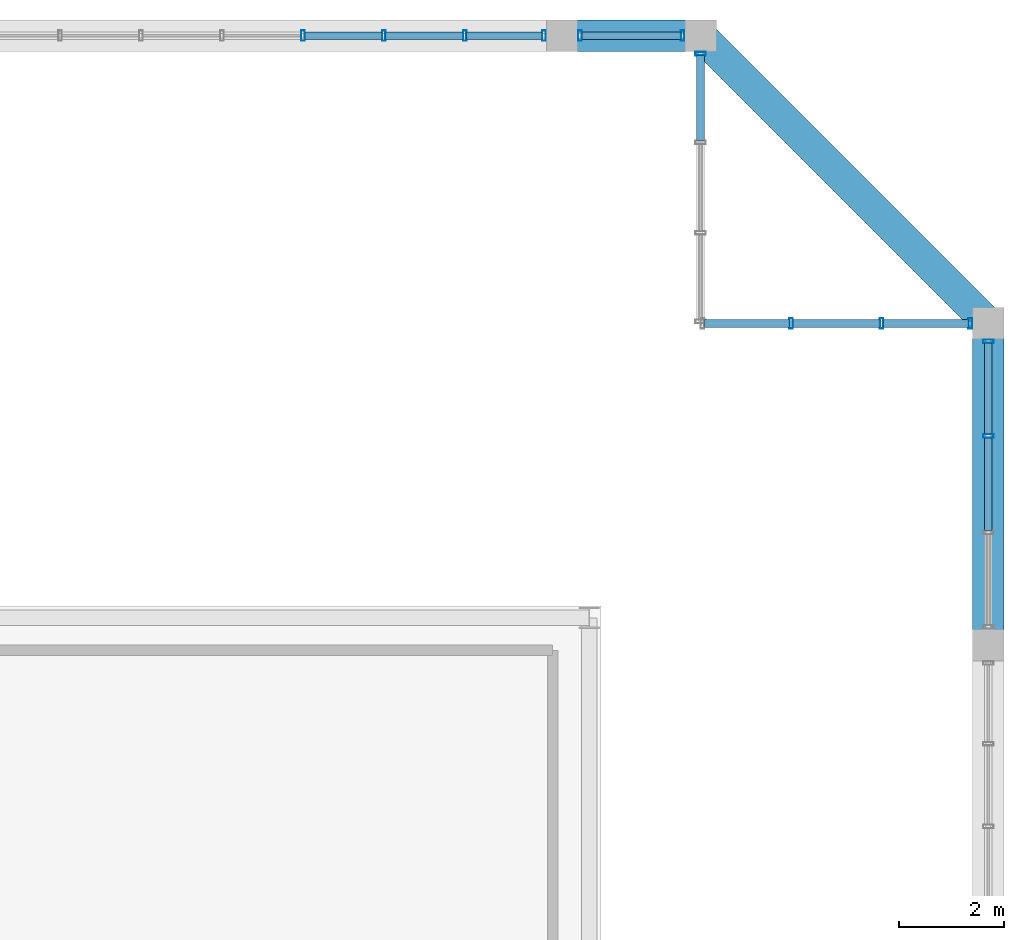
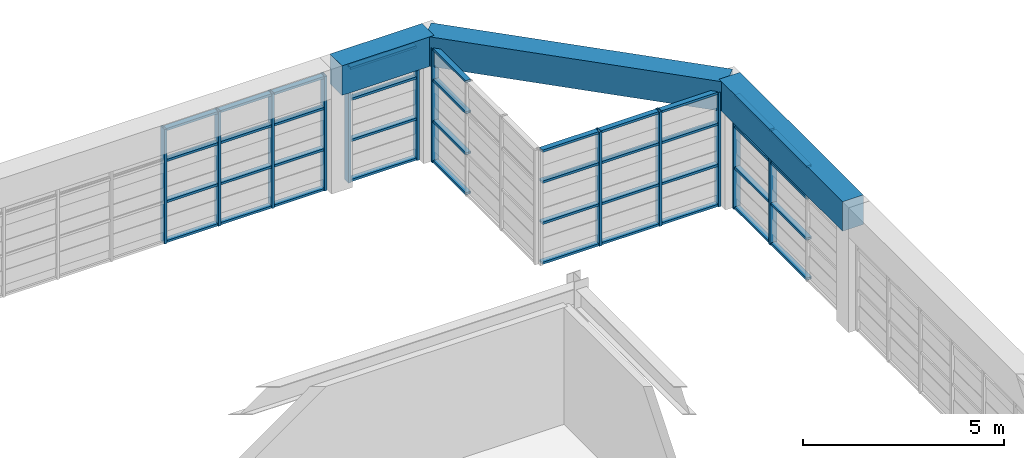
# One storey, part 19 of 27: 52 members, 3 beams, 5 elements without a shape of their own.
"""IFC4 building model written with IfcOpenShell, lengths in metres."""

from ifc_helpers import new_model, si_unit, direction, frame, origin, origin_2d, place, context, subcontext, project, spatial, rectangle, hollow_rectangle, extrude, source, transform, mapped, material, layer, layer_set, material_profile, profile_set, type_object, element, aggregate, save


model = new_model("IFC4")

# Units and contexts
model_context = context("Model", 3, precision=1e-05, world=origin(), true_north=direction((0.0, 1.0)))
body_context = subcontext(model_context, "Body", "Model", "MODEL_VIEW")
ifc_project = project(units=[si_unit("LENGTHUNIT", "METRE"), si_unit("AREAUNIT", "SQUARE_METRE"), si_unit("VOLUMEUNIT", "CUBIC_METRE"), si_unit("PLANEANGLEUNIT", "RADIAN"), si_unit("MASSUNIT", "GRAM", prefix="KILO")], contexts=[model_context])

# Site, building, storey
site_placement = place(None, origin())
site = spatial("IfcSite", under=ifc_project, at=site_placement, CompositionType="ELEMENT")
building_placement = place(site_placement, origin())
building = spatial("IfcBuilding", under=site, at=building_placement, Name="Saelheon Loggia Tower", CompositionType="ELEMENT")
storey_placement = place(building_placement, frame((0.0, 0.0, 263.60009765625)))
storey = spatial("IfcBuildingStorey", under=building, at=storey_placement, Name="CR4", CompositionType="ELEMENT", Elevation=263.60009765625)

# Beams
ifc_material_1 = material(Name="Precast Concrete C45/55", Category="concrete")
ifc_material_profile_1 = material_profile(ifc_material_1, rectangle(XDim=0.60009765625, YDim=0.89990234375, at=origin_2d()), Name="RC-600x900")
ifc_profile_set_1 = profile_set([ifc_material_profile_1], Name="Precast Concrete C45/55")
beam_type = type_object("IfcBeamType", Name="CrownFrame_Ring_RC600x900", PredefinedType="BEAM", material=ifc_profile_set_1)
shared_shape_1 = source(origin(), body_context, "Body", "SweptSolid", [
    extrude(rectangle(XDim=0.60009765625, YDim=0.89990234375, at=origin_2d()), origin(), (0.0, 0.0, 1.0), 2.64990234375),
])
beam_1_placement = place(storey_placement, frame((47.14990234375, 47.64990234375, 3.349853515625), z_axis=(-1.0, 0.0, 0.0), x_axis=(0.0, -1.0, 0.0)))
element("IfcBeam", 1, at=beam_1_placement, inside=storey, type_object=beam_type, Name="CR4 CROWN FRAME Ring Beam 09", PredefinedType="BEAM", context=body_context, shape_type="MappedRepresentation", body=[
    mapped(shared_shape_1, transform((0.0, 0.0, 0.0), scale=1.0)),
])
shared_shape_2 = source(origin(), body_context, "Body", "SweptSolid", [
    extrude(rectangle(XDim=0.60009765625, YDim=0.89990234375, at=origin_2d()), origin(), (0.0, 0.0, 1.0), 7.778076171875),
])
beam_2_placement = place(storey_placement, frame((52.64990234375, 42.14990234375, 3.349853515625), z_axis=(-0.707106781187, 0.707106781187, 0.0), x_axis=(-0.707106781187, -0.707106781187, 0.0)))
element("IfcBeam", 2, at=beam_2_placement, inside=storey, type_object=beam_type, Name="CR4 CROWN FRAME Ring Beam 08", PredefinedType="BEAM", context=body_context, shape_type="MappedRepresentation", body=[
    mapped(shared_shape_2, transform((0.0, 0.0, 0.0), scale=1.0)),
])
shared_shape_3 = source(origin(), body_context, "Body", "SweptSolid", [
    extrude(rectangle(XDim=0.60009765625, YDim=0.89990234375, at=origin_2d()), origin(), (0.0, 0.0, 1.0), 6.14990234375),
])
beam_3_placement = place(storey_placement, frame((52.64990234375, 36.0, 3.349853515625), z_axis=(0.0, 1.0, 0.0), x_axis=(-1.0, 0.0, 0.0)))
element("IfcBeam", 3, at=beam_3_placement, inside=storey, type_object=beam_type, Name="CR4 CROWN FRAME Ring Beam 07", PredefinedType="BEAM", context=body_context, shape_type="MappedRepresentation", body=[
    mapped(shared_shape_3, transform((0.0, 0.0, 0.0), scale=1.0)),
])

# Curtain wall, members
ifc_material_2 = material(Name="Bronze-Anodised Aluminium and Fritted Ceramic Screen", Category="aluminium")
ifc_layer = layer(ifc_material_2, 0.219970703125)
ifc_layer_set = layer_set([ifc_layer], Name="Bronze-Anodised Aluminium and Fritted Ceramic Screen")
curtain_wall_type = type_object("IfcCurtainWallType", Name="CW_CrownScreen", PredefinedType="NOTDEFINED", material=ifc_layer_set)
curtain_wall_1_placement = place(storey_placement, origin())
curtain_wall_1 = element("IfcCurtainWall", 4, at=curtain_wall_1_placement, inside=storey, type_object=curtain_wall_type, Name="CR4 Crown Screen Curtain Wall 3-3", PredefinedType="NOTDEFINED")
ifc_material_3 = material(Name="Bronze-Anodised Aluminium 6063-T6", Category="aluminium")
ifc_material_profile_2 = material_profile(ifc_material_3, hollow_rectangle(XDim=0.070068359375, YDim=0.199951171875, WallThickness=0.0048828125, at=origin_2d()), Name="RHS-200x70x5")
ifc_profile_set_2 = profile_set([ifc_material_profile_2], Name="Bronze-Anodised Aluminium 6063-T6")
member_type_1 = type_object("IfcMemberType", Name="CW_CrownScreen_Mullion", PredefinedType="MULLION", material=ifc_profile_set_2)
shared_shape_4 = source(origin(), body_context, "Body", "SweptSolid", [
    extrude(hollow_rectangle(XDim=0.070068359375, YDim=0.199951171875, WallThickness=0.0048828125, at=origin_2d()), origin(), (0.0, 0.0, 1.0), 3.47998046875),
])
member_1_placement = place(storey_placement, frame((52.64990234375, 39.99658203125, 0.0), z_axis=(0.0, 0.0, 1.0), x_axis=(0.0, 1.0, 0.0)))
member_1 = element("IfcMember", 5, at=member_1_placement, type_object=member_type_1, Name="CW6 mullion 3", PredefinedType="MULLION", context=body_context, shape_type="MappedRepresentation", body=[
    mapped(shared_shape_4, transform((0.0, 0.0, 0.0), scale=1.0)),
])
member_2_placement = place(storey_placement, frame((52.64990234375, 41.804931640625, 0.0), z_axis=(0.0, 0.0, 1.0), x_axis=(0.0, 1.0, 0.0)))
member_2 = element("IfcMember", 6, at=member_2_placement, type_object=member_type_1, Name="CW6 mullion 4", PredefinedType="MULLION", context=body_context, shape_type="MappedRepresentation", body=[
    mapped(shared_shape_4, transform((0.0, 0.0, 0.0), scale=1.0)),
])

curtain_wall_2_placement = place(storey_placement, origin())
curtain_wall_2 = element("IfcCurtainWall", 7, at=curtain_wall_2_placement, inside=storey, type_object=curtain_wall_type, Name="CR4 Crown Screen Curtain Wall 4-1", PredefinedType="NOTDEFINED")
member_3_placement = place(storey_placement, frame((52.304931640625, 42.14990234375, 0.0), z_axis=(0.0, 0.0, 1.0), x_axis=(-1.0, 0.0, 0.0)))
member_3 = element("IfcMember", 8, at=member_3_placement, type_object=member_type_1, Name="CW6 mullion 1", PredefinedType="MULLION", context=body_context, shape_type="MappedRepresentation", body=[
    mapped(shared_shape_4, transform((0.0, 0.0, 0.0), scale=1.0)),
])
member_4_placement = place(storey_placement, frame((50.610107421875, 42.14990234375, 0.0), z_axis=(0.0, 0.0, 1.0), x_axis=(-1.0, 0.0, 0.0)))
member_4 = element("IfcMember", 9, at=member_4_placement, type_object=member_type_1, Name="CW6 mullion 2", PredefinedType="MULLION", context=body_context, shape_type="MappedRepresentation", body=[
    mapped(shared_shape_4, transform((0.0, 0.0, 0.0), scale=1.0)),
])
member_5_placement = place(storey_placement, frame((48.8798828125, 42.14990234375, 0.0), z_axis=(0.0, 0.0, 1.0), x_axis=(-1.0, 0.0, 0.0)))
member_5 = element("IfcMember", 10, at=member_5_placement, type_object=member_type_1, Name="CW6 mullion 3", PredefinedType="MULLION", context=body_context, shape_type="MappedRepresentation", body=[
    mapped(shared_shape_4, transform((0.0, 0.0, 0.0), scale=1.0)),
])

# Curtain wall, member
curtain_wall_3_placement = place(storey_placement, origin())
curtain_wall_3 = element("IfcCurtainWall", 11, at=curtain_wall_3_placement, inside=storey, type_object=curtain_wall_type, Name="CR4 Crown Screen Curtain Wall 5-1", PredefinedType="NOTDEFINED")
member_6_placement = place(storey_placement, frame((47.14990234375, 47.304931640625, 0.0), z_axis=(0.0, 0.0, 1.0), x_axis=(0.0, 1.0, 0.0)))
member_6 = element("IfcMember", 12, at=member_6_placement, type_object=member_type_1, Name="CW6 mullion 4", PredefinedType="MULLION", context=body_context, shape_type="MappedRepresentation", body=[
    mapped(shared_shape_4, transform((0.0, 0.0, 0.0), scale=1.0)),
])

# Curtain wall, members
curtain_wall_4_placement = place(storey_placement, origin())
curtain_wall_4 = element("IfcCurtainWall", 13, at=curtain_wall_4_placement, inside=storey, type_object=curtain_wall_type, Name="CR4 Crown Screen Curtain Wall 6-1", PredefinedType="NOTDEFINED")
member_7_placement = place(storey_placement, frame((46.804931640625, 47.64990234375, 0.0), z_axis=(0.0, 0.0, 1.0), x_axis=(-1.0, 0.0, 0.0)))
member_7 = element("IfcMember", 14, at=member_7_placement, type_object=member_type_1, Name="CW6 mullion 1", PredefinedType="MULLION", context=body_context, shape_type="MappedRepresentation", body=[
    mapped(shared_shape_4, transform((0.0, 0.0, 0.0), scale=1.0)),
])
member_8_placement = place(storey_placement, frame((44.844970703125, 47.64990234375, 0.0), z_axis=(0.0, 0.0, 1.0), x_axis=(-1.0, 0.0, 0.0)))
member_8 = element("IfcMember", 15, at=member_8_placement, type_object=member_type_1, Name="CW6 mullion 2", PredefinedType="MULLION", context=body_context, shape_type="MappedRepresentation", body=[
    mapped(shared_shape_4, transform((0.0, 0.0, 0.0), scale=1.0)),
])

curtain_wall_5_placement = place(storey_placement, origin())
curtain_wall_5 = element("IfcCurtainWall", 16, at=curtain_wall_5_placement, inside=storey, type_object=curtain_wall_type, Name="CR4 Crown Screen Curtain Wall 6-2", PredefinedType="NOTDEFINED")
member_9_placement = place(storey_placement, frame((44.155029296875, 47.64990234375, 0.0), z_axis=(0.0, 0.0, 1.0), x_axis=(-1.0, 0.0, 0.0)))
member_9 = element("IfcMember", 17, at=member_9_placement, type_object=member_type_1, Name="CW6 mullion 1", PredefinedType="MULLION", context=body_context, shape_type="MappedRepresentation", body=[
    mapped(shared_shape_4, transform((0.0, 0.0, 0.0), scale=1.0)),
])
member_10_placement = place(storey_placement, frame((42.642578125, 47.64990234375, 0.0), z_axis=(0.0, 0.0, 1.0), x_axis=(-1.0, 0.0, 0.0)))
member_10 = element("IfcMember", 18, at=member_10_placement, type_object=member_type_1, Name="CW6 mullion 2", PredefinedType="MULLION", context=body_context, shape_type="MappedRepresentation", body=[
    mapped(shared_shape_4, transform((0.0, 0.0, 0.0), scale=1.0)),
])
member_11_placement = place(storey_placement, frame((41.094970703125, 47.64990234375, 0.0), z_axis=(0.0, 0.0, 1.0), x_axis=(-1.0, 0.0, 0.0)))
member_11 = element("IfcMember", 19, at=member_11_placement, type_object=member_type_1, Name="CW6 mullion 3", PredefinedType="MULLION", context=body_context, shape_type="MappedRepresentation", body=[
    mapped(shared_shape_4, transform((0.0, 0.0, 0.0), scale=1.0)),
])
member_12_placement = place(storey_placement, frame((39.547607421875, 47.64990234375, 0.0), z_axis=(0.0, 0.0, 1.0), x_axis=(-1.0, 0.0, 0.0)))
member_12 = element("IfcMember", 20, at=member_12_placement, type_object=member_type_1, Name="CW6 mullion 4", PredefinedType="MULLION", context=body_context, shape_type="MappedRepresentation", body=[
    mapped(shared_shape_4, transform((0.0, 0.0, 0.0), scale=1.0)),
])

# Member
ifc_material_profile_3 = material_profile(ifc_material_3, hollow_rectangle(XDim=0.070068359375, YDim=0.14990234375, WallThickness=0.0048828125, at=origin_2d()), Name="RHS-150x70x5")
ifc_profile_set_3 = profile_set([ifc_material_profile_3], Name="Bronze-Anodised Aluminium 6063-T6")
member_type_2 = type_object("IfcMemberType", Name="CW_CrownScreen_Transom", PredefinedType="USERDEFINED", material=ifc_profile_set_3)
shared_shape_5 = source(origin(), body_context, "Body", "SweptSolid", [
    extrude(hollow_rectangle(XDim=0.070068359375, YDim=0.14990234375, WallThickness=0.0048828125, at=origin_2d()), origin(), (0.0, 0.0, 1.0), 1.89013671875),
])
member_13_placement = place(storey_placement, frame((46.77001953125, 47.64990234375, 0.034912109375), z_axis=(-1.0, 0.0, 0.0), x_axis=(0.0, 0.0, 1.0)))
member_13 = element("IfcMember", 21, at=member_13_placement, type_object=member_type_2, Name="CW6 transom 1.1", ObjectType="TRANSOM", PredefinedType="USERDEFINED", context=body_context, shape_type="MappedRepresentation", body=[
    mapped(shared_shape_5, transform((0.0, 0.0, 0.0), scale=1.0)),
])

member_14_placement = place(storey_placement, frame((46.77001953125, 47.64990234375, 1.25), z_axis=(-1.0, 0.0, 0.0), x_axis=(0.0, 0.0, 1.0)))
member_14 = element("IfcMember", 22, at=member_14_placement, type_object=member_type_2, Name="CW6 transom 1.2", ObjectType="TRANSOM", PredefinedType="USERDEFINED", context=body_context, shape_type="MappedRepresentation", body=[
    mapped(shared_shape_5, transform((0.0, 0.0, 0.0), scale=1.0)),
])

member_15_placement = place(storey_placement, frame((46.77001953125, 47.64990234375, 2.5), z_axis=(-1.0, 0.0, 0.0), x_axis=(0.0, 0.0, 1.0)))
member_15 = element("IfcMember", 23, at=member_15_placement, type_object=member_type_2, Name="CW6 transom 1.3", ObjectType="TRANSOM", PredefinedType="USERDEFINED", context=body_context, shape_type="MappedRepresentation", body=[
    mapped(shared_shape_5, transform((0.0, 0.0, 0.0), scale=1.0)),
])

member_16_placement = place(storey_placement, frame((46.77001953125, 47.64990234375, 3.44482421875), z_axis=(-1.0, 0.0, 0.0), x_axis=(0.0, 0.0, 1.0)))
member_16 = element("IfcMember", 24, at=member_16_placement, type_object=member_type_2, Name="CW6 transom 1.4", ObjectType="TRANSOM", PredefinedType="USERDEFINED", context=body_context, shape_type="MappedRepresentation", body=[
    mapped(shared_shape_5, transform((0.0, 0.0, 0.0), scale=1.0)),
])

aggregate(curtain_wall_4, [member_7, member_8, member_13, member_14, member_15, member_16])

shared_shape_6 = source(origin(), body_context, "Body", "SweptSolid", [
    extrude(hollow_rectangle(XDim=0.070068359375, YDim=0.14990234375, WallThickness=0.0048828125, at=origin_2d()), origin(), (0.0, 0.0, 1.0), 1.442626953125),
])
member_17_placement = place(storey_placement, frame((44.1201171875, 47.64990234375, 0.034912109375), z_axis=(-1.0, 0.0, 0.0), x_axis=(0.0, 0.0, 1.0)))
member_17 = element("IfcMember", 25, at=member_17_placement, type_object=member_type_2, Name="CW6 transom 1.1", ObjectType="TRANSOM", PredefinedType="USERDEFINED", context=body_context, shape_type="MappedRepresentation", body=[
    mapped(shared_shape_6, transform((0.0, 0.0, 0.0), scale=1.0)),
])

member_18_placement = place(storey_placement, frame((44.1201171875, 47.64990234375, 1.25), z_axis=(-1.0, 0.0, 0.0), x_axis=(0.0, 0.0, 1.0)))
member_18 = element("IfcMember", 26, at=member_18_placement, type_object=member_type_2, Name="CW6 transom 1.2", ObjectType="TRANSOM", PredefinedType="USERDEFINED", context=body_context, shape_type="MappedRepresentation", body=[
    mapped(shared_shape_6, transform((0.0, 0.0, 0.0), scale=1.0)),
])

member_19_placement = place(storey_placement, frame((44.1201171875, 47.64990234375, 2.5), z_axis=(-1.0, 0.0, 0.0), x_axis=(0.0, 0.0, 1.0)))
member_19 = element("IfcMember", 27, at=member_19_placement, type_object=member_type_2, Name="CW6 transom 1.3", ObjectType="TRANSOM", PredefinedType="USERDEFINED", context=body_context, shape_type="MappedRepresentation", body=[
    mapped(shared_shape_6, transform((0.0, 0.0, 0.0), scale=1.0)),
])

member_20_placement = place(storey_placement, frame((44.1201171875, 47.64990234375, 3.44482421875), z_axis=(-1.0, 0.0, 0.0), x_axis=(0.0, 0.0, 1.0)))
member_20 = element("IfcMember", 28, at=member_20_placement, type_object=member_type_2, Name="CW6 transom 1.4", ObjectType="TRANSOM", PredefinedType="USERDEFINED", context=body_context, shape_type="MappedRepresentation", body=[
    mapped(shared_shape_6, transform((0.0, 0.0, 0.0), scale=1.0)),
])

shared_shape_7 = source(origin(), body_context, "Body", "SweptSolid", [
    extrude(hollow_rectangle(XDim=0.070068359375, YDim=0.14990234375, WallThickness=0.0048828125, at=origin_2d()), origin(), (0.0, 0.0, 1.0), 1.4775390625),
])
member_21_placement = place(storey_placement, frame((42.607421875, 47.64990234375, 0.034912109375), z_axis=(-1.0, 0.0, 0.0), x_axis=(0.0, 0.0, 1.0)))
member_21 = element("IfcMember", 29, at=member_21_placement, type_object=member_type_2, Name="CW6 transom 2.1", ObjectType="TRANSOM", PredefinedType="USERDEFINED", context=body_context, shape_type="MappedRepresentation", body=[
    mapped(shared_shape_7, transform((0.0, 0.0, 0.0), scale=1.0)),
])

member_22_placement = place(storey_placement, frame((42.607421875, 47.64990234375, 1.25), z_axis=(-1.0, 0.0, 0.0), x_axis=(0.0, 0.0, 1.0)))
member_22 = element("IfcMember", 30, at=member_22_placement, type_object=member_type_2, Name="CW6 transom 2.2", ObjectType="TRANSOM", PredefinedType="USERDEFINED", context=body_context, shape_type="MappedRepresentation", body=[
    mapped(shared_shape_7, transform((0.0, 0.0, 0.0), scale=1.0)),
])

member_23_placement = place(storey_placement, frame((42.607421875, 47.64990234375, 2.5), z_axis=(-1.0, 0.0, 0.0), x_axis=(0.0, 0.0, 1.0)))
member_23 = element("IfcMember", 31, at=member_23_placement, type_object=member_type_2, Name="CW6 transom 2.3", ObjectType="TRANSOM", PredefinedType="USERDEFINED", context=body_context, shape_type="MappedRepresentation", body=[
    mapped(shared_shape_7, transform((0.0, 0.0, 0.0), scale=1.0)),
])

member_24_placement = place(storey_placement, frame((42.607421875, 47.64990234375, 3.44482421875), z_axis=(-1.0, 0.0, 0.0), x_axis=(0.0, 0.0, 1.0)))
member_24 = element("IfcMember", 32, at=member_24_placement, type_object=member_type_2, Name="CW6 transom 2.4", ObjectType="TRANSOM", PredefinedType="USERDEFINED", context=body_context, shape_type="MappedRepresentation", body=[
    mapped(shared_shape_7, transform((0.0, 0.0, 0.0), scale=1.0)),
])

member_25_placement = place(storey_placement, frame((41.06005859375, 47.64990234375, 0.034912109375), z_axis=(-1.0, 0.0, 0.0), x_axis=(0.0, 0.0, 1.0)))
member_25 = element("IfcMember", 33, at=member_25_placement, type_object=member_type_2, Name="CW6 transom 3.1", ObjectType="TRANSOM", PredefinedType="USERDEFINED", context=body_context, shape_type="MappedRepresentation", body=[
    mapped(shared_shape_7, transform((0.0, 0.0, 0.0), scale=1.0)),
])

member_26_placement = place(storey_placement, frame((41.06005859375, 47.64990234375, 1.25), z_axis=(-1.0, 0.0, 0.0), x_axis=(0.0, 0.0, 1.0)))
member_26 = element("IfcMember", 34, at=member_26_placement, type_object=member_type_2, Name="CW6 transom 3.2", ObjectType="TRANSOM", PredefinedType="USERDEFINED", context=body_context, shape_type="MappedRepresentation", body=[
    mapped(shared_shape_7, transform((0.0, 0.0, 0.0), scale=1.0)),
])

member_27_placement = place(storey_placement, frame((41.06005859375, 47.64990234375, 2.5), z_axis=(-1.0, 0.0, 0.0), x_axis=(0.0, 0.0, 1.0)))
member_27 = element("IfcMember", 35, at=member_27_placement, type_object=member_type_2, Name="CW6 transom 3.3", ObjectType="TRANSOM", PredefinedType="USERDEFINED", context=body_context, shape_type="MappedRepresentation", body=[
    mapped(shared_shape_7, transform((0.0, 0.0, 0.0), scale=1.0)),
])

member_28_placement = place(storey_placement, frame((41.06005859375, 47.64990234375, 3.44482421875), z_axis=(-1.0, 0.0, 0.0), x_axis=(0.0, 0.0, 1.0)))
member_28 = element("IfcMember", 36, at=member_28_placement, type_object=member_type_2, Name="CW6 transom 3.4", ObjectType="TRANSOM", PredefinedType="USERDEFINED", context=body_context, shape_type="MappedRepresentation", body=[
    mapped(shared_shape_7, transform((0.0, 0.0, 0.0), scale=1.0)),
])

aggregate(curtain_wall_5, [member_9, member_10, member_11, member_12, member_17, member_18, member_19, member_20, member_21, member_22, member_23, member_24, member_25, member_26, member_27, member_28])

shared_shape_8 = source(origin(), body_context, "Body", "SweptSolid", [
    extrude(hollow_rectangle(XDim=0.070068359375, YDim=0.14990234375, WallThickness=0.0048828125, at=origin_2d()), origin(), (0.0, 0.0, 1.0), 1.625),
])
member_29_placement = place(storey_placement, frame((52.27001953125, 42.14990234375, 0.034912109375), z_axis=(-1.0, 0.0, 0.0), x_axis=(0.0, 0.0, 1.0)))
member_29 = element("IfcMember", 37, at=member_29_placement, type_object=member_type_2, Name="CW6 transom 1.1", ObjectType="TRANSOM", PredefinedType="USERDEFINED", context=body_context, shape_type="MappedRepresentation", body=[
    mapped(shared_shape_8, transform((0.0, 0.0, 0.0), scale=1.0)),
])

member_30_placement = place(storey_placement, frame((52.27001953125, 42.14990234375, 1.25), z_axis=(-1.0, 0.0, 0.0), x_axis=(0.0, 0.0, 1.0)))
member_30 = element("IfcMember", 38, at=member_30_placement, type_object=member_type_2, Name="CW6 transom 1.2", ObjectType="TRANSOM", PredefinedType="USERDEFINED", context=body_context, shape_type="MappedRepresentation", body=[
    mapped(shared_shape_8, transform((0.0, 0.0, 0.0), scale=1.0)),
])

member_31_placement = place(storey_placement, frame((52.27001953125, 42.14990234375, 2.5), z_axis=(-1.0, 0.0, 0.0), x_axis=(0.0, 0.0, 1.0)))
member_31 = element("IfcMember", 39, at=member_31_placement, type_object=member_type_2, Name="CW6 transom 1.3", ObjectType="TRANSOM", PredefinedType="USERDEFINED", context=body_context, shape_type="MappedRepresentation", body=[
    mapped(shared_shape_8, transform((0.0, 0.0, 0.0), scale=1.0)),
])

member_32_placement = place(storey_placement, frame((52.27001953125, 42.14990234375, 3.44482421875), z_axis=(-1.0, 0.0, 0.0), x_axis=(0.0, 0.0, 1.0)))
member_32 = element("IfcMember", 40, at=member_32_placement, type_object=member_type_2, Name="CW6 transom 1.4", ObjectType="TRANSOM", PredefinedType="USERDEFINED", context=body_context, shape_type="MappedRepresentation", body=[
    mapped(shared_shape_8, transform((0.0, 0.0, 0.0), scale=1.0)),
])

member_33_placement = place(storey_placement, frame((48.844970703125, 42.14990234375, 0.034912109375), z_axis=(-1.0, 0.0, 0.0), x_axis=(0.0, 0.0, 1.0)))
member_33 = element("IfcMember", 41, at=member_33_placement, type_object=member_type_2, Name="CW6 transom 3.1", ObjectType="TRANSOM", PredefinedType="USERDEFINED", context=body_context, shape_type="MappedRepresentation", body=[
    mapped(shared_shape_8, transform((0.0, 0.0, 0.0), scale=1.0)),
])

member_34_placement = place(storey_placement, frame((48.844970703125, 42.14990234375, 1.25), z_axis=(-1.0, 0.0, 0.0), x_axis=(0.0, 0.0, 1.0)))
member_34 = element("IfcMember", 42, at=member_34_placement, type_object=member_type_2, Name="CW6 transom 3.2", ObjectType="TRANSOM", PredefinedType="USERDEFINED", context=body_context, shape_type="MappedRepresentation", body=[
    mapped(shared_shape_8, transform((0.0, 0.0, 0.0), scale=1.0)),
])

member_35_placement = place(storey_placement, frame((48.844970703125, 42.14990234375, 2.5), z_axis=(-1.0, 0.0, 0.0), x_axis=(0.0, 0.0, 1.0)))
member_35 = element("IfcMember", 43, at=member_35_placement, type_object=member_type_2, Name="CW6 transom 3.3", ObjectType="TRANSOM", PredefinedType="USERDEFINED", context=body_context, shape_type="MappedRepresentation", body=[
    mapped(shared_shape_8, transform((0.0, 0.0, 0.0), scale=1.0)),
])

member_36_placement = place(storey_placement, frame((48.844970703125, 42.14990234375, 3.44482421875), z_axis=(-1.0, 0.0, 0.0), x_axis=(0.0, 0.0, 1.0)))
member_36 = element("IfcMember", 44, at=member_36_placement, type_object=member_type_2, Name="CW6 transom 3.4", ObjectType="TRANSOM", PredefinedType="USERDEFINED", context=body_context, shape_type="MappedRepresentation", body=[
    mapped(shared_shape_8, transform((0.0, 0.0, 0.0), scale=1.0)),
])

member_37_placement = place(storey_placement, frame((47.14990234375, 45.64501953125, 0.034912109375), z_axis=(0.0, 1.0, 0.0), x_axis=(0.0, 0.0, 1.0)))
member_37 = element("IfcMember", 45, at=member_37_placement, type_object=member_type_2, Name="CW6 transom 3.1", ObjectType="TRANSOM", PredefinedType="USERDEFINED", context=body_context, shape_type="MappedRepresentation", body=[
    mapped(shared_shape_8, transform((0.0, 0.0, 0.0), scale=1.0)),
])

member_38_placement = place(storey_placement, frame((47.14990234375, 45.64501953125, 1.25), z_axis=(0.0, 1.0, 0.0), x_axis=(0.0, 0.0, 1.0)))
member_38 = element("IfcMember", 46, at=member_38_placement, type_object=member_type_2, Name="CW6 transom 3.2", ObjectType="TRANSOM", PredefinedType="USERDEFINED", context=body_context, shape_type="MappedRepresentation", body=[
    mapped(shared_shape_8, transform((0.0, 0.0, 0.0), scale=1.0)),
])

member_39_placement = place(storey_placement, frame((47.14990234375, 45.64501953125, 2.5), z_axis=(0.0, 1.0, 0.0), x_axis=(0.0, 0.0, 1.0)))
member_39 = element("IfcMember", 47, at=member_39_placement, type_object=member_type_2, Name="CW6 transom 3.3", ObjectType="TRANSOM", PredefinedType="USERDEFINED", context=body_context, shape_type="MappedRepresentation", body=[
    mapped(shared_shape_8, transform((0.0, 0.0, 0.0), scale=1.0)),
])

member_40_placement = place(storey_placement, frame((47.14990234375, 45.64501953125, 3.44482421875), z_axis=(0.0, 1.0, 0.0), x_axis=(0.0, 0.0, 1.0)))
member_40 = element("IfcMember", 48, at=member_40_placement, type_object=member_type_2, Name="CW6 transom 3.4", ObjectType="TRANSOM", PredefinedType="USERDEFINED", context=body_context, shape_type="MappedRepresentation", body=[
    mapped(shared_shape_8, transform((0.0, 0.0, 0.0), scale=1.0)),
])

aggregate(curtain_wall_3, [member_6, member_37, member_38, member_39, member_40])

shared_shape_9 = source(origin(), body_context, "Body", "SweptSolid", [
    extrude(hollow_rectangle(XDim=0.070068359375, YDim=0.14990234375, WallThickness=0.0048828125, at=origin_2d()), origin(), (0.0, 0.0, 1.0), 1.659912109375),
])
member_41_placement = place(storey_placement, frame((50.574951171875, 42.14990234375, 0.034912109375), z_axis=(-1.0, 0.0, 0.0), x_axis=(0.0, 0.0, 1.0)))
member_41 = element("IfcMember", 49, at=member_41_placement, type_object=member_type_2, Name="CW6 transom 2.1", ObjectType="TRANSOM", PredefinedType="USERDEFINED", context=body_context, shape_type="MappedRepresentation", body=[
    mapped(shared_shape_9, transform((0.0, 0.0, 0.0), scale=1.0)),
])

member_42_placement = place(storey_placement, frame((50.574951171875, 42.14990234375, 1.25), z_axis=(-1.0, 0.0, 0.0), x_axis=(0.0, 0.0, 1.0)))
member_42 = element("IfcMember", 50, at=member_42_placement, type_object=member_type_2, Name="CW6 transom 2.2", ObjectType="TRANSOM", PredefinedType="USERDEFINED", context=body_context, shape_type="MappedRepresentation", body=[
    mapped(shared_shape_9, transform((0.0, 0.0, 0.0), scale=1.0)),
])

member_43_placement = place(storey_placement, frame((50.574951171875, 42.14990234375, 2.5), z_axis=(-1.0, 0.0, 0.0), x_axis=(0.0, 0.0, 1.0)))
member_43 = element("IfcMember", 51, at=member_43_placement, type_object=member_type_2, Name="CW6 transom 2.3", ObjectType="TRANSOM", PredefinedType="USERDEFINED", context=body_context, shape_type="MappedRepresentation", body=[
    mapped(shared_shape_9, transform((0.0, 0.0, 0.0), scale=1.0)),
])

member_44_placement = place(storey_placement, frame((50.574951171875, 42.14990234375, 3.44482421875), z_axis=(-1.0, 0.0, 0.0), x_axis=(0.0, 0.0, 1.0)))
member_44 = element("IfcMember", 52, at=member_44_placement, type_object=member_type_2, Name="CW6 transom 2.4", ObjectType="TRANSOM", PredefinedType="USERDEFINED", context=body_context, shape_type="MappedRepresentation", body=[
    mapped(shared_shape_9, transform((0.0, 0.0, 0.0), scale=1.0)),
])

aggregate(curtain_wall_2, [member_3, member_4, member_5, member_29, member_30, member_31, member_32, member_41, member_42, member_43, member_44, member_33, member_34, member_35, member_36])

shared_shape_10 = source(origin(), body_context, "Body", "SweptSolid", [
    extrude(hollow_rectangle(XDim=0.070068359375, YDim=0.14990234375, WallThickness=0.0048828125, at=origin_2d()), origin(), (0.0, 0.0, 1.0), 1.73828125),
])
member_45_placement = place(storey_placement, frame((52.64990234375, 40.03173828125, 0.034912109375), z_axis=(0.0, 1.0, 0.0), x_axis=(0.0, 0.0, 1.0)))
member_45 = element("IfcMember", 53, at=member_45_placement, type_object=member_type_2, Name="CW6 transom 3.1", ObjectType="TRANSOM", PredefinedType="USERDEFINED", context=body_context, shape_type="MappedRepresentation", body=[
    mapped(shared_shape_10, transform((0.0, 0.0, 0.0), scale=1.0)),
])

member_46_placement = place(storey_placement, frame((52.64990234375, 40.03173828125, 1.25), z_axis=(0.0, 1.0, 0.0), x_axis=(0.0, 0.0, 1.0)))
member_46 = element("IfcMember", 54, at=member_46_placement, type_object=member_type_2, Name="CW6 transom 3.2", ObjectType="TRANSOM", PredefinedType="USERDEFINED", context=body_context, shape_type="MappedRepresentation", body=[
    mapped(shared_shape_10, transform((0.0, 0.0, 0.0), scale=1.0)),
])

member_47_placement = place(storey_placement, frame((52.64990234375, 40.03173828125, 2.5), z_axis=(0.0, 1.0, 0.0), x_axis=(0.0, 0.0, 1.0)))
member_47 = element("IfcMember", 55, at=member_47_placement, type_object=member_type_2, Name="CW6 transom 3.3", ObjectType="TRANSOM", PredefinedType="USERDEFINED", context=body_context, shape_type="MappedRepresentation", body=[
    mapped(shared_shape_10, transform((0.0, 0.0, 0.0), scale=1.0)),
])

member_48_placement = place(storey_placement, frame((52.64990234375, 40.03173828125, 3.44482421875), z_axis=(0.0, 1.0, 0.0), x_axis=(0.0, 0.0, 1.0)))
member_48 = element("IfcMember", 56, at=member_48_placement, type_object=member_type_2, Name="CW6 transom 3.4", ObjectType="TRANSOM", PredefinedType="USERDEFINED", context=body_context, shape_type="MappedRepresentation", body=[
    mapped(shared_shape_10, transform((0.0, 0.0, 0.0), scale=1.0)),
])

shared_shape_11 = source(origin(), body_context, "Body", "SweptSolid", [
    extrude(hollow_rectangle(XDim=0.070068359375, YDim=0.14990234375, WallThickness=0.0048828125, at=origin_2d()), origin(), (0.0, 0.0, 1.0), 1.7734375),
])
member_49_placement = place(storey_placement, frame((52.64990234375, 38.188232421875, 0.034912109375), z_axis=(0.0, 1.0, 0.0), x_axis=(0.0, 0.0, 1.0)))
member_49 = element("IfcMember", 57, at=member_49_placement, type_object=member_type_2, Name="CW6 transom 2.1", ObjectType="TRANSOM", PredefinedType="USERDEFINED", context=body_context, shape_type="MappedRepresentation", body=[
    mapped(shared_shape_11, transform((0.0, 0.0, 0.0), scale=1.0)),
])

member_50_placement = place(storey_placement, frame((52.64990234375, 38.188232421875, 1.25), z_axis=(0.0, 1.0, 0.0), x_axis=(0.0, 0.0, 1.0)))
member_50 = element("IfcMember", 58, at=member_50_placement, type_object=member_type_2, Name="CW6 transom 2.2", ObjectType="TRANSOM", PredefinedType="USERDEFINED", context=body_context, shape_type="MappedRepresentation", body=[
    mapped(shared_shape_11, transform((0.0, 0.0, 0.0), scale=1.0)),
])

member_51_placement = place(storey_placement, frame((52.64990234375, 38.188232421875, 2.5), z_axis=(0.0, 1.0, 0.0), x_axis=(0.0, 0.0, 1.0)))
member_51 = element("IfcMember", 59, at=member_51_placement, type_object=member_type_2, Name="CW6 transom 2.3", ObjectType="TRANSOM", PredefinedType="USERDEFINED", context=body_context, shape_type="MappedRepresentation", body=[
    mapped(shared_shape_11, transform((0.0, 0.0, 0.0), scale=1.0)),
])

member_52_placement = place(storey_placement, frame((52.64990234375, 38.188232421875, 3.44482421875), z_axis=(0.0, 1.0, 0.0), x_axis=(0.0, 0.0, 1.0)))
member_52 = element("IfcMember", 60, at=member_52_placement, type_object=member_type_2, Name="CW6 transom 2.4", ObjectType="TRANSOM", PredefinedType="USERDEFINED", context=body_context, shape_type="MappedRepresentation", body=[
    mapped(shared_shape_11, transform((0.0, 0.0, 0.0), scale=1.0)),
])

aggregate(curtain_wall_1, [member_1, member_2, member_49, member_50, member_51, member_52, member_45, member_46, member_47, member_48])

save(model, "model.ifc")
